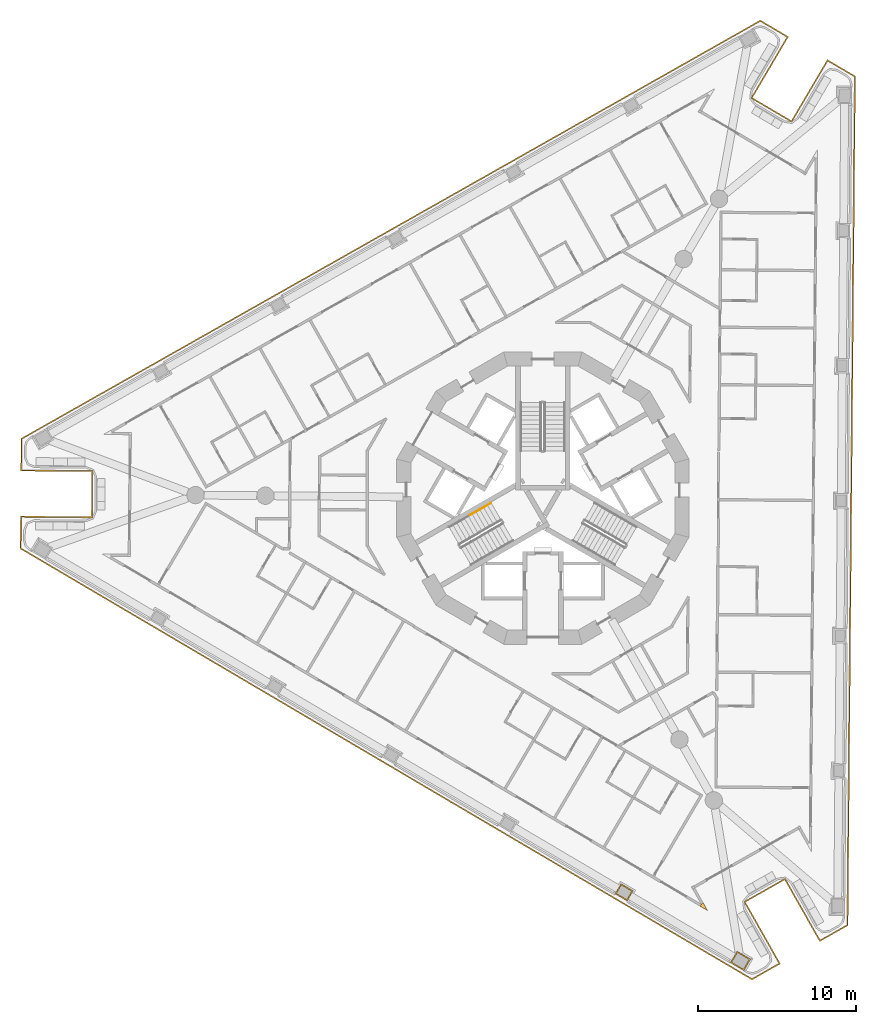
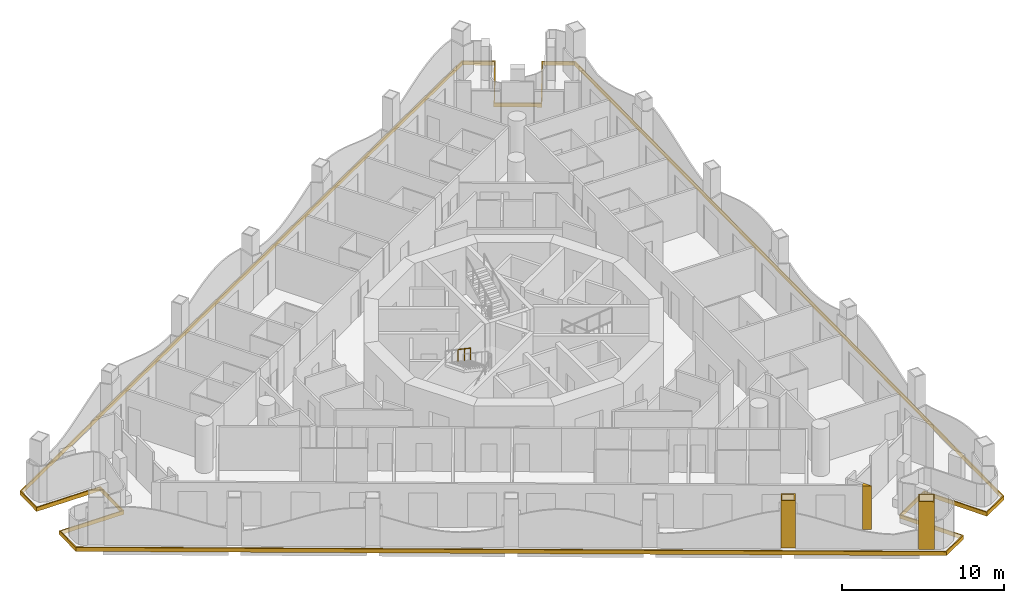
# One storey, part 13 of 17: 4 coverings, 1 railing.
"""IFC4 building model written with IfcOpenShell, lengths in metres."""

from ifc_helpers import new_model, si_unit, direction, frame, origin, origin_2d, place, context, subcontext, project, spatial, polyline, circle, outline, extrude, material, layer, layer_set, type_object, element, save


model = new_model("IFC4")

# Units and contexts
model_context = context("Model", 3, precision=1e-05, world=origin(), true_north=direction((0.0, 1.0)))
body_context = subcontext(model_context, "Body", "Model", "MODEL_VIEW")
ifc_project = project(units=[si_unit("LENGTHUNIT", "METRE"), si_unit("AREAUNIT", "SQUARE_METRE"), si_unit("VOLUMEUNIT", "CUBIC_METRE"), si_unit("PLANEANGLEUNIT", "RADIAN"), si_unit("MASSUNIT", "GRAM", prefix="KILO")], contexts=[model_context])

# Site, building, storey
site_placement = place(None, origin())
site = spatial("IfcSite", under=ifc_project, at=site_placement, CompositionType="ELEMENT")
building_placement = place(site_placement, origin())
building = spatial("IfcBuilding", under=site, at=building_placement, Name="Trine Commons Tower", CompositionType="ELEMENT")
storey_placement = place(building_placement, frame((0.0, 0.0, 179.10009765625)))
storey = spatial("IfcBuildingStorey", under=building, at=storey_placement, Name="L46", CompositionType="ELEMENT", Elevation=179.10009765625)

# Coverings
ifc_material_1 = material(Name="Aluminium-framed insulated wall panel", Category="aluminium")
ifc_layer_1 = layer(ifc_material_1, 0.14990234375)
ifc_layer_set_1 = layer_set([ifc_layer_1], Name="Aluminium-framed insulated wall panel")
covering_type_1 = type_object("IfcCoveringType", Name="Glazing corner post, aluminium", PredefinedType="CLADDING", material=ifc_layer_set_1)
covering_1_placement = place(storey_placement, origin())
element("IfcCovering", 1, at=covering_1_placement, inside=storey, type_object=covering_type_1, Name="Glazing corner post 5-12", PredefinedType="CLADDING", context=body_context, shape_type="SweptSolid", body=[
    extrude(outline(polyline([(89.97265625, 36.6083984375), (90.455078125, 36.32421875), (90.179443359375, 36.811279296875), (90.048828125, 36.737548828125), (89.97265625, 36.6083984375)])), origin(), (0.0, 0.0, 1.0), 3.2998046875),
])
ifc_material_2 = material(Name="Limestone, honed", Category="masonry")
ifc_layer_2 = layer(ifc_material_2, 0.074951171875)
ifc_layer_set_2 = layer_set([ifc_layer_2], Name="Limestone, honed")
covering_type_2 = type_object("IfcCoveringType", Name="Limestone column cladding 75", PredefinedType="CLADDING", material=ifc_layer_set_2)
covering_2_placement = place(storey_placement, origin())
element("IfcCovering", 2, at=covering_2_placement, inside=storey, type_object=covering_type_2, Name="Limestone pier cladding 5-01", PredefinedType="CLADDING", context=body_context, shape_type="SweptSolid", body=[
    extrude(outline(polyline([(92.327392578125, 33.753173828125), (91.89599609375, 33.020751953125), (92.757568359375, 32.51318359375), (93.18896484375, 33.24560546875), (92.327392578125, 33.753173828125)]), holes=[polyline([(92.35400390625, 33.650390625), (91.998779296875, 33.047119140625), (92.731201171875, 32.61572265625), (93.086181640625, 33.218994140625), (92.35400390625, 33.650390625)])]), origin(), (0.0, 0.0, 1.0), 3.599853515625),
])
covering_3_placement = place(storey_placement, origin())
element("IfcCovering", 3, at=covering_3_placement, inside=storey, type_object=covering_type_2, Name="Limestone pier cladding 5-02", PredefinedType="CLADDING", context=body_context, shape_type="SweptSolid", body=[
    extrude(outline(polyline([(84.96044921875, 38.03466796875), (84.57958984375, 37.388427734375), (85.355224609375, 36.931640625), (85.73583984375, 37.577880859375), (84.96044921875, 38.03466796875)]), holes=[polyline([(84.987060546875, 37.931884765625), (84.682373046875, 37.414794921875), (85.32861328125, 37.0341796875), (85.63330078125, 37.55126953125), (84.987060546875, 37.931884765625)])]), origin(), (0.0, 0.0, 1.0), 3.599853515625),
])
ifc_layer_3 = layer(ifc_material_2, 0.074951171875)
ifc_layer_set_3 = layer_set([ifc_layer_3], Name="Limestone, honed")
covering_type_3 = type_object("IfcCoveringType", Name="Limestone spandrel panel 75", PredefinedType="CLADDING", material=ifc_layer_set_3)
covering_4_placement = place(storey_placement, frame((0.0, 0.0, -0.300048828125)))
element("IfcCovering", 4, at=covering_4_placement, inside=storey, type_object=covering_type_3, Name="Limestone spandrel panel 5-01", PredefinedType="CLADDING", context=body_context, shape_type="SweptSolid", body=[
    extrude(outline(polyline([(95.34814453125, 38.26611328125), (97.564208984375, 34.349365234375), (99.376708984375, 35.374755859375), (99.846923828125, 89.282958984375), (98.052734375, 90.33984375), (95.768798828125, 86.46240234375), (93.313232421875, 87.908935546875), (95.59716796875, 91.786376953125), (93.802734375, 92.84326171875), (46.8818359375, 66.296630859375), (46.863525390625, 64.214111328125), (51.363525390625, 64.175048828125), (51.338623046875, 61.3251953125), (46.8388671875, 61.3642578125), (46.820556640625, 59.281982421875), (93.271240234375, 31.92041015625), (95.08349609375, 32.94580078125), (92.86767578125, 36.862548828125), (95.34814453125, 38.26611328125)]), holes=[polyline([(98.079345703125, 90.237060546875), (99.771484375, 89.240234375), (99.302001953125, 35.418701171875), (97.592529296875, 34.45166015625), (95.376708984375, 38.3681640625), (92.765380859375, 36.890869140625), (94.9814453125, 32.974365234375), (93.27197265625, 32.007080078125), (46.89599609375, 59.32470703125), (46.9130859375, 61.288818359375), (51.412841796875, 61.24951171875), (51.439208984375, 64.249267578125), (46.939208984375, 64.28857421875), (46.956298828125, 66.252685546875), (93.802001953125, 92.756591796875), (95.494384765625, 91.759765625), (93.21044921875, 87.88232421875), (95.79541015625, 86.35986328125), (98.079345703125, 90.237060546875)])]), origin(), (0.0, 0.0, 1.0), 0.300048828125),
])

# Railing
ifc_material_3 = material(Name="Stainless steel handrail", Category="steel")
railing_type = type_object("IfcRailingType", Name="Stair handrail, steel 900", PredefinedType="HANDRAIL", material=ifc_material_3)
railing_placement = place(storey_placement, frame((76.72265625, 62.195556640625, 1.949951171875)))
element("IfcRailing", 5, at=railing_placement, inside=storey, type_object=railing_type, Name="L46 ST2B stair handrail 3", PredefinedType="HANDRAIL", context=body_context, shape_type="SweptSolid", body=[
    extrude(circle(Radius=0.02099609375, at=origin_2d()), frame((0.0, 0.0, 0.87890625), z_axis=(-0.76340495495, -0.440743040072, 0.472184759798), x_axis=(0.499992328818, -0.866029832698, 0.0)), (0.0, 0.0, 1.0), 1.7470703125),
    extrude(circle(Radius=0.01513671875, at=origin_2d()), origin(), (0.0, 0.0, 1.0), 0.85791015625),
    extrude(circle(Radius=0.01513671875, at=origin_2d()), frame((-0.6669921875, -0.385009765625, 0.41259765625)), (0.0, 0.0, 1.0), 0.85791015625),
    extrude(circle(Radius=0.01513671875, at=origin_2d()), frame((-1.333740234375, -0.77001953125, 0.824951171875)), (0.0, 0.0, 1.0), 0.85791015625),
])

save(model, "model.ifc")
